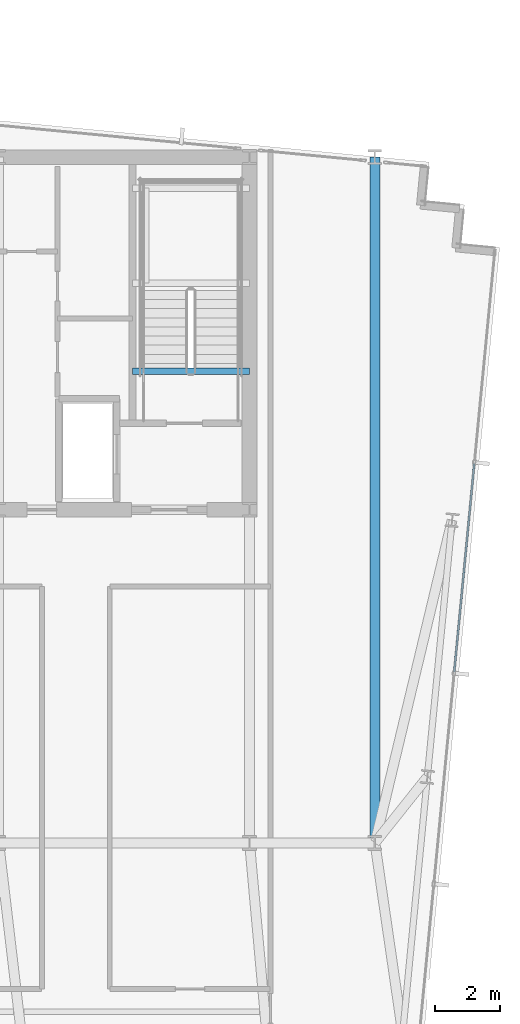
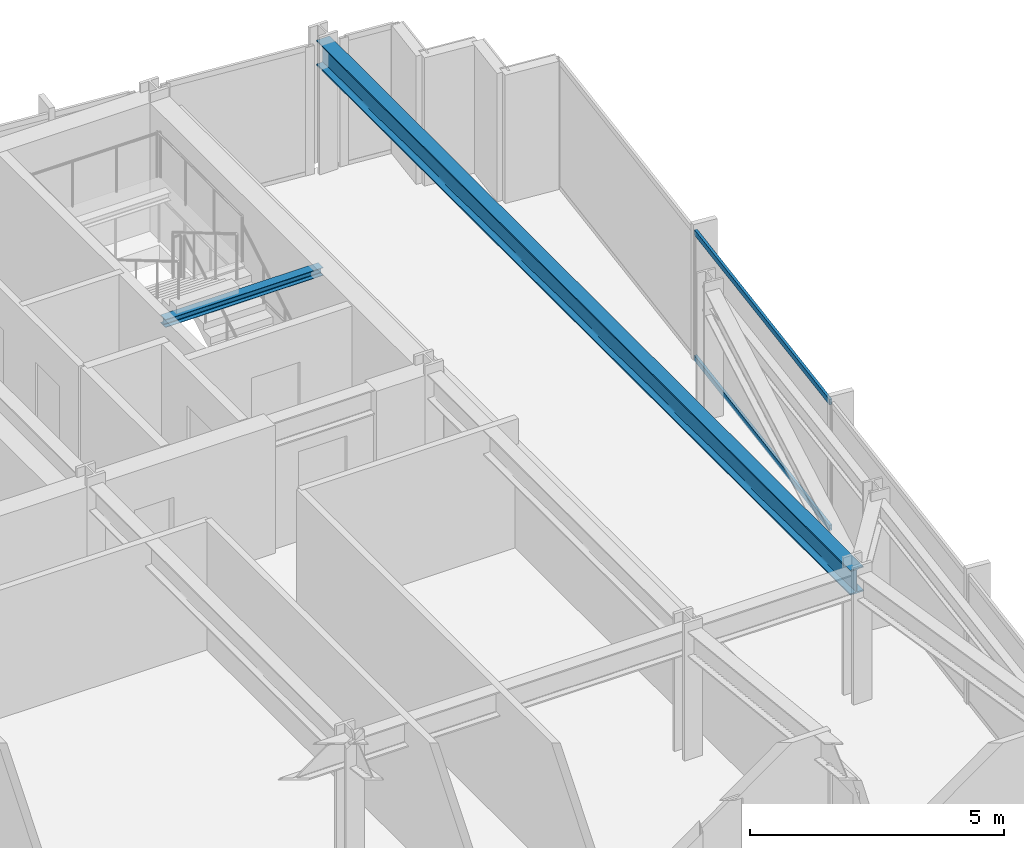
# One storey, part 19 of 37: 2 beams, 2 members, 1 element without a shape of its own.
"""IFC4 building model written with IfcOpenShell, lengths in metres."""

from ifc_helpers import new_model, si_unit, direction, frame, origin, origin_2d, place, context, subcontext, project, spatial, hollow_rectangle, i_section, extrude, material, material_profile, profile_set, type_object, element, aggregate, save


model = new_model("IFC4")

# Units and contexts
model_context = context("Model", 3, precision=1e-05, world=origin(), true_north=direction((0.0, 1.0)))
body_context = subcontext(model_context, "Body", "Model", "MODEL_VIEW")
ifc_project = project(units=[si_unit("LENGTHUNIT", "METRE"), si_unit("AREAUNIT", "SQUARE_METRE"), si_unit("VOLUMEUNIT", "CUBIC_METRE"), si_unit("PLANEANGLEUNIT", "RADIAN"), si_unit("MASSUNIT", "GRAM", prefix="KILO")], contexts=[model_context])

# Site, building, storey
site_placement = place(None, origin())
site = spatial("IfcSite", under=ifc_project, at=site_placement, CompositionType="ELEMENT")
building_placement = place(site_placement, origin())
building = spatial("IfcBuilding", under=site, at=building_placement, Name="Yelkora Congress Tower", CompositionType="ELEMENT")
storey_placement = place(building_placement, frame((0.0, 0.0, 149.0)))
storey = spatial("IfcBuildingStorey", under=building, at=storey_placement, Name="L40", CompositionType="ELEMENT", Elevation=149.0)

# Beams
ifc_material_1 = material(Name="Steel S355J2", Category="steel")
ifc_material_profile_1 = material_profile(ifc_material_1, i_section(OverallWidth=0.300048828125, OverallDepth=0.60009765625, WebThickness=0.015380859375, FlangeThickness=0.030029296875, FilletRadius=0.027099609375, at=origin_2d()), Name="HEB 600")
ifc_profile_set_1 = profile_set([ifc_material_profile_1], Name="Steel S355J2")
beam_type_1 = type_object("IfcBeamType", Name="BM-GIRD-HEB600", PredefinedType="BEAM", material=ifc_profile_set_1)
beam_1_placement = place(storey_placement, frame((57.60009765625, 25.199951171875, 2.780029296875), z_axis=(0.0, 1.0, 0.0), x_axis=(-1.0, 0.0, 0.0)))
element("IfcBeam", 1, at=beam_1_placement, inside=storey, type_object=beam_type_1, Name="L40 Neck Flank Girder MC-F2", PredefinedType="BEAM", context=body_context, shape_type="SweptSolid", body=[
    extrude(i_section(OverallWidth=0.300048828125, OverallDepth=0.60009765625, WebThickness=0.015380859375, FlangeThickness=0.030029296875, FilletRadius=0.027099609375, at=origin_2d()), origin(), (0.0, 0.0, 1.0), 21.0),
])
ifc_material_profile_2 = material_profile(ifc_material_1, i_section(OverallWidth=0.199951171875, OverallDepth=0.18994140625, WebThickness=0.006591796875, FlangeThickness=0.010009765625, FilletRadius=0.01806640625, at=origin_2d()), Name="HEA 200")
ifc_profile_set_2 = profile_set([ifc_material_profile_2], Name="Steel S355J2")
beam_type_2 = type_object("IfcBeamType", Name="BM-LAND-HEA200", PredefinedType="BEAM", material=ifc_profile_set_2)
beam_2_placement = place(storey_placement, frame((50.179931640625, 39.639892578125, 2.85400390625), z_axis=(1.0, 0.0, 0.0), x_axis=(0.0, 1.0, 0.0)))
element("IfcBeam", 2, at=beam_2_placement, inside=storey, type_object=beam_type_2, Name="ST-02 L40 Floor Arrival Stringer Header Beam", PredefinedType="BEAM", context=body_context, shape_type="SweptSolid", body=[
    extrude(i_section(OverallWidth=0.199951171875, OverallDepth=0.18994140625, WebThickness=0.006591796875, FlangeThickness=0.010009765625, FilletRadius=0.01806640625, at=origin_2d()), origin(), (0.0, 0.0, 1.0), 3.580078125),
])

# Curtain wall, members
ifc_material_2 = material(Name="Anodised aluminium and insulated glass", Category="aluminium")
curtain_wall_type = type_object("IfcCurtainWallType", Name="CW-SYS-B3", PredefinedType="NOTDEFINED", material=ifc_material_2)
curtain_wall_placement = place(storey_placement, origin())
curtain_wall = element("IfcCurtainWall", 3, at=curtain_wall_placement, inside=storey, type_object=curtain_wall_type, Name="L40 Unitised Curtain Wall 15", PredefinedType="NOTDEFINED")
ifc_material_3 = material(Name="Anodised aluminium 6063-T6", Category="aluminium")
ifc_material_profile_3 = material_profile(ifc_material_3, hollow_rectangle(XDim=0.06005859375, YDim=0.1298828125, WallThickness=0.00390625, at=origin_2d()), Name="ALU 60x130x4")
ifc_profile_set_3 = profile_set([ifc_material_profile_3], Name="Anodised aluminium 6063-T6")
member_type = type_object("IfcMemberType", Name="MEM-TR-B3", PredefinedType="USERDEFINED", material=ifc_profile_set_3)
member_1_placement = place(storey_placement, frame((60.642822265625, 36.81494140625, 0.030029296875), z_axis=(-0.095843682057, -0.995396397728, 0.0), x_axis=(0.995396397728, -0.095843682057, 0.0)))
member_1 = element("IfcMember", 4, at=member_1_placement, type_object=member_type, Name="CW-B3 transom 2.1", ObjectType="TRANSOM", PredefinedType="USERDEFINED", context=body_context, shape_type="SweptSolid", body=[
    extrude(hollow_rectangle(XDim=0.06005859375, YDim=0.1298828125, WallThickness=0.00390625, at=origin_2d()), origin(), (0.0, 0.0, 1.0), 6.4140625),
])
member_2_placement = place(storey_placement, frame((60.642822265625, 36.81494140625, 3.050048828125), z_axis=(-0.095843682057, -0.995396397728, 0.0), x_axis=(0.995396397728, -0.095843682057, 0.0)))
member_2 = element("IfcMember", 5, at=member_2_placement, type_object=member_type, Name="CW-B3 transom 2.2", ObjectType="TRANSOM", PredefinedType="USERDEFINED", context=body_context, shape_type="SweptSolid", body=[
    extrude(hollow_rectangle(XDim=0.06005859375, YDim=0.1298828125, WallThickness=0.00390625, at=origin_2d()), origin(), (0.0, 0.0, 1.0), 6.4140625),
])
aggregate(curtain_wall, [member_1, member_2])

save(model, "model.ifc")
